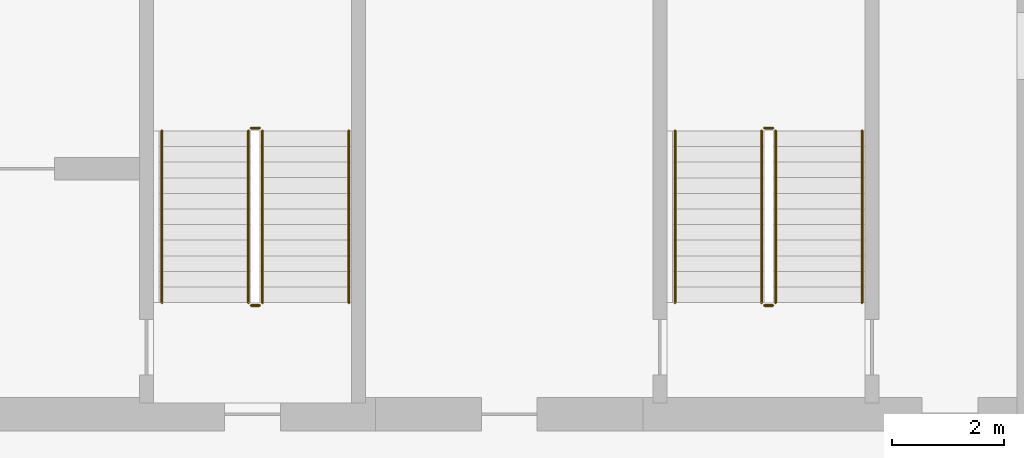
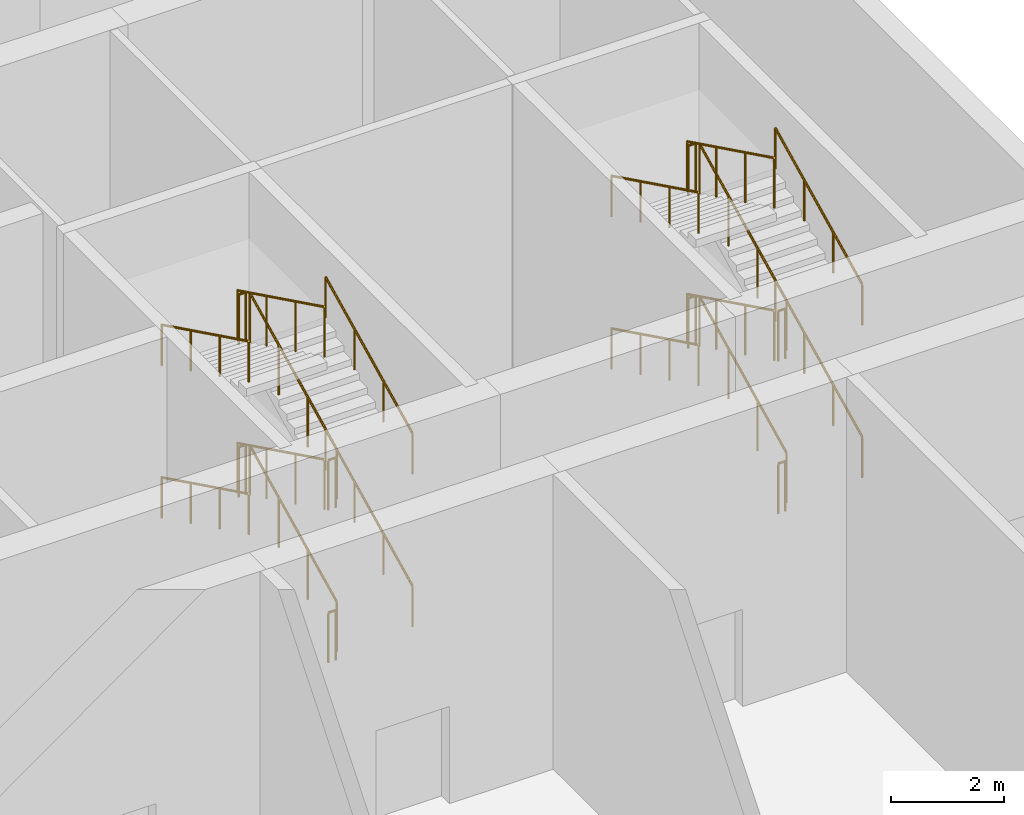
# One storey, part 13 of 13: 24 railings.
"""IFC4 building model written with IfcOpenShell, lengths in metres."""

from ifc_helpers import new_model, si_unit, direction, frame, origin, origin_2d, place, context, subcontext, project, spatial, circle, extrude, material, type_object, element, save


model = new_model("IFC4")

# Units and contexts
model_context = context("Model", 3, precision=1e-05, world=origin(), true_north=direction((0.0, 1.0)))
body_context = subcontext(model_context, "Body", "Model", "MODEL_VIEW")
ifc_project = project(units=[si_unit("LENGTHUNIT", "METRE"), si_unit("AREAUNIT", "SQUARE_METRE"), si_unit("VOLUMEUNIT", "CUBIC_METRE"), si_unit("PLANEANGLEUNIT", "RADIAN"), si_unit("MASSUNIT", "GRAM", prefix="KILO")], contexts=[model_context])

# Site, building, storey
site_placement = place(None, origin())
site = spatial("IfcSite", under=ifc_project, at=site_placement, CompositionType="ELEMENT")
building_placement = place(site_placement, origin())
building = spatial("IfcBuilding", under=site, at=building_placement, Name="Poui Terraces", CompositionType="ELEMENT")
storey_placement = place(building_placement, frame((0.0, 0.0, 214.800048828125)))
storey = spatial("IfcBuildingStorey", under=building, at=storey_placement, Name="L60", CompositionType="ELEMENT", Elevation=214.800048828125)

# Railings
ifc_material_1 = material(Name="Galvanised steel balustrade", Category="steel")
railing_type_1 = type_object("IfcRailingType", Name="STAIR GUARD 1100", PredefinedType="GUARDRAIL", material=ifc_material_1)
railing_1_placement = place(storey_placement, frame((70.27490234375, 16.60009765625, 0.137451171875)))
element("IfcRailing", 1, at=railing_1_placement, inside=storey, type_object=railing_type_1, Name="L60 ST-CE stair guard 1", PredefinedType="GUARDRAIL", context=body_context, shape_type="SweptSolid", body=[
    extrude(circle(Radius=0.02392578125, at=origin_2d()), frame((0.0, 0.0, 1.076171875), z_axis=(0.0, 0.897606190399, 0.440798283751), x_axis=(-1.0, 0.0, 0.0)), (0.0, 0.0, 1.0), 3.43115234375),
    extrude(circle(Radius=0.02099609375, at=origin_2d()), origin(), (0.0, 0.0, 1.0), 1.052001953125),
    extrude(circle(Radius=0.02099609375, at=origin_2d()), frame((0.0, 1.026611328125, 0.504150390625)), (0.0, 0.0, 1.0), 1.052001953125),
    extrude(circle(Radius=0.02099609375, at=origin_2d()), frame((0.0, 2.05322265625, 1.00830078125)), (0.0, 0.0, 1.0), 1.052001953125),
    extrude(circle(Radius=0.02099609375, at=origin_2d()), frame((0.0, 3.079833984375, 1.512451171875)), (0.0, 0.0, 1.0), 1.052001953125),
])
railing_2_placement = place(storey_placement, frame((70.22509765625, 19.72998046875, 1.64990234375)))
element("IfcRailing", 2, at=railing_2_placement, inside=storey, type_object=railing_type_1, Name="L60 ST-CE stair guard 2", PredefinedType="GUARDRAIL", context=body_context, shape_type="SweptSolid", body=[
    extrude(circle(Radius=0.02392578125, at=origin_2d()), frame((0.0, 0.0, 1.076171875), z_axis=(-1.0, 0.0, 0.0), x_axis=(0.0, -1.0, 0.0)), (0.0, 0.0, 1.0), 0.150146484375),
    extrude(circle(Radius=0.02099609375, at=origin_2d()), origin(), (0.0, 0.0, 1.0), 1.052001953125),
    extrude(circle(Radius=0.02099609375, at=origin_2d()), frame((-0.150146484375, 0.0, 0.0)), (0.0, 0.0, 1.0), 1.052001953125),
])
railing_3_placement = place(storey_placement, frame((70.02490234375, 19.679931640625, 1.787353515625)))
element("IfcRailing", 3, at=railing_3_placement, inside=storey, type_object=railing_type_1, Name="L60 ST-CE stair guard 3", PredefinedType="GUARDRAIL", context=body_context, shape_type="SweptSolid", body=[
    extrude(circle(Radius=0.02392578125, at=origin_2d()), frame((0.0, 0.0, 1.076171875), z_axis=(0.0, -0.897578036475, 0.440855609512), x_axis=(1.0, 0.0, 0.0)), (0.0, 0.0, 1.0), 3.43115234375),
    extrude(circle(Radius=0.02099609375, at=origin_2d()), origin(), (0.0, 0.0, 1.0), 1.052001953125),
    extrude(circle(Radius=0.02099609375, at=origin_2d()), frame((0.0, -1.026611328125, 0.504150390625)), (0.0, 0.0, 1.0), 1.052001953125),
    extrude(circle(Radius=0.02099609375, at=origin_2d()), frame((0.0, -2.05322265625, 1.008544921875)), (0.0, 0.0, 1.0), 1.052001953125),
    extrude(circle(Radius=0.02099609375, at=origin_2d()), frame((0.0, -3.079833984375, 1.5126953125)), (0.0, 0.0, 1.0), 1.052001953125),
])
railing_4_placement = place(storey_placement, frame((70.22509765625, 16.550048828125, 3.300048828125)))
element("IfcRailing", 4, at=railing_4_placement, inside=storey, type_object=railing_type_1, Name="L60 ST-CE stair guard 4", PredefinedType="GUARDRAIL", context=body_context, shape_type="SweptSolid", body=[
    extrude(circle(Radius=0.02392578125, at=origin_2d()), frame((0.0, 0.0, 1.076171875), z_axis=(-1.0, 0.0, 0.0), x_axis=(0.0, -1.0, 0.0)), (0.0, 0.0, 1.0), 0.150146484375),
    extrude(circle(Radius=0.02099609375, at=origin_2d()), origin(), (0.0, 0.0, 1.0), 1.052001953125),
    extrude(circle(Radius=0.02099609375, at=origin_2d()), frame((-0.150146484375, 0.0, 0.0)), (0.0, 0.0, 1.0), 1.052001953125),
])
railing_5_placement = place(storey_placement, frame((70.27490234375, 16.60009765625, 3.4375)))
element("IfcRailing", 5, at=railing_5_placement, inside=storey, type_object=railing_type_1, Name="L60 ST-CE stair guard 5", PredefinedType="GUARDRAIL", context=body_context, shape_type="SweptSolid", body=[
    extrude(circle(Radius=0.02392578125, at=origin_2d()), frame((0.0, 0.0, 1.076171875), z_axis=(0.0, 0.897606190399, 0.440798283751), x_axis=(-1.0, 0.0, 0.0)), (0.0, 0.0, 1.0), 3.43115234375),
    extrude(circle(Radius=0.02099609375, at=origin_2d()), origin(), (0.0, 0.0, 1.0), 1.052001953125),
    extrude(circle(Radius=0.02099609375, at=origin_2d()), frame((0.0, 1.026611328125, 0.504150390625)), (0.0, 0.0, 1.0), 1.052001953125),
    extrude(circle(Radius=0.02099609375, at=origin_2d()), frame((0.0, 2.05322265625, 1.00830078125)), (0.0, 0.0, 1.0), 1.052001953125),
    extrude(circle(Radius=0.02099609375, at=origin_2d()), frame((0.0, 3.079833984375, 1.512451171875)), (0.0, 0.0, 1.0), 1.052001953125),
])
railing_6_placement = place(storey_placement, frame((70.22509765625, 19.72998046875, 4.949951171875)))
element("IfcRailing", 6, at=railing_6_placement, inside=storey, type_object=railing_type_1, Name="L60 ST-CE stair guard 6", PredefinedType="GUARDRAIL", context=body_context, shape_type="SweptSolid", body=[
    extrude(circle(Radius=0.02392578125, at=origin_2d()), frame((0.0, 0.0, 1.076171875), z_axis=(-1.0, 0.0, 0.0), x_axis=(0.0, -1.0, 0.0)), (0.0, 0.0, 1.0), 0.150146484375),
    extrude(circle(Radius=0.02099609375, at=origin_2d()), origin(), (0.0, 0.0, 1.0), 1.052001953125),
    extrude(circle(Radius=0.02099609375, at=origin_2d()), frame((-0.150146484375, 0.0, 0.0)), (0.0, 0.0, 1.0), 1.052001953125),
])
railing_7_placement = place(storey_placement, frame((70.02490234375, 19.679931640625, 5.08740234375)))
element("IfcRailing", 7, at=railing_7_placement, inside=storey, type_object=railing_type_1, Name="L60 ST-CE stair guard 7", PredefinedType="GUARDRAIL", context=body_context, shape_type="SweptSolid", body=[
    extrude(circle(Radius=0.02392578125, at=origin_2d()), frame((0.0, 0.0, 1.076171875), z_axis=(0.0, -0.897606190399, 0.440798283751), x_axis=(1.0, 0.0, 0.0)), (0.0, 0.0, 1.0), 3.43115234375),
    extrude(circle(Radius=0.02099609375, at=origin_2d()), origin(), (0.0, 0.0, 1.0), 1.052001953125),
    extrude(circle(Radius=0.02099609375, at=origin_2d()), frame((0.0, -1.026611328125, 0.504150390625)), (0.0, 0.0, 1.0), 1.052001953125),
    extrude(circle(Radius=0.02099609375, at=origin_2d()), frame((0.0, -2.05322265625, 1.00830078125)), (0.0, 0.0, 1.0), 1.052001953125),
    extrude(circle(Radius=0.02099609375, at=origin_2d()), frame((0.0, -3.079833984375, 1.512451171875)), (0.0, 0.0, 1.0), 1.052001953125),
])
railing_8_placement = place(storey_placement, frame((70.22509765625, 16.550048828125, 0.0)))
element("IfcRailing", 8, at=railing_8_placement, inside=storey, type_object=railing_type_1, Name="L60 ST-CE stair guard 8", PredefinedType="GUARDRAIL", context=body_context, shape_type="SweptSolid", body=[
    extrude(circle(Radius=0.02392578125, at=origin_2d()), frame((0.0, 0.0, 1.076171875), z_axis=(-1.0, 0.0, 0.0), x_axis=(0.0, -1.0, 0.0)), (0.0, 0.0, 1.0), 0.150146484375),
    extrude(circle(Radius=0.02099609375, at=origin_2d()), origin(), (0.0, 0.0, 1.0), 1.052001953125),
    extrude(circle(Radius=0.02099609375, at=origin_2d()), frame((-0.150146484375, 0.0, 0.0)), (0.0, 0.0, 1.0), 1.052001953125),
])
railing_9_placement = place(storey_placement, frame((79.47509765625, 16.60009765625, 0.137451171875)))
element("IfcRailing", 9, at=railing_9_placement, inside=storey, type_object=railing_type_1, Name="L60 ST-E stair guard 1", PredefinedType="GUARDRAIL", context=body_context, shape_type="SweptSolid", body=[
    extrude(circle(Radius=0.02392578125, at=origin_2d()), frame((0.0, 0.0, 1.076171875), z_axis=(0.0, 0.897606190399, 0.440798283751), x_axis=(-1.0, 0.0, 0.0)), (0.0, 0.0, 1.0), 3.43115234375),
    extrude(circle(Radius=0.02099609375, at=origin_2d()), origin(), (0.0, 0.0, 1.0), 1.052001953125),
    extrude(circle(Radius=0.02099609375, at=origin_2d()), frame((0.0, 1.026611328125, 0.504150390625)), (0.0, 0.0, 1.0), 1.052001953125),
    extrude(circle(Radius=0.02099609375, at=origin_2d()), frame((0.0, 2.05322265625, 1.00830078125)), (0.0, 0.0, 1.0), 1.052001953125),
    extrude(circle(Radius=0.02099609375, at=origin_2d()), frame((0.0, 3.079833984375, 1.512451171875)), (0.0, 0.0, 1.0), 1.052001953125),
])
railing_10_placement = place(storey_placement, frame((79.425048828125, 19.72998046875, 1.64990234375)))
element("IfcRailing", 10, at=railing_10_placement, inside=storey, type_object=railing_type_1, Name="L60 ST-E stair guard 2", PredefinedType="GUARDRAIL", context=body_context, shape_type="SweptSolid", body=[
    extrude(circle(Radius=0.02392578125, at=origin_2d()), frame((0.0, 0.0, 1.076171875), z_axis=(-1.0, 0.0, 0.0), x_axis=(0.0, -1.0, 0.0)), (0.0, 0.0, 1.0), 0.150146484375),
    extrude(circle(Radius=0.02099609375, at=origin_2d()), origin(), (0.0, 0.0, 1.0), 1.052001953125),
    extrude(circle(Radius=0.02099609375, at=origin_2d()), frame((-0.150146484375, 0.0, 0.0)), (0.0, 0.0, 1.0), 1.052001953125),
])
railing_11_placement = place(storey_placement, frame((79.22509765625, 19.679931640625, 1.787353515625)))
element("IfcRailing", 11, at=railing_11_placement, inside=storey, type_object=railing_type_1, Name="L60 ST-E stair guard 3", PredefinedType="GUARDRAIL", context=body_context, shape_type="SweptSolid", body=[
    extrude(circle(Radius=0.02392578125, at=origin_2d()), frame((0.0, 0.0, 1.076171875), z_axis=(0.0, -0.897578036475, 0.440855609512), x_axis=(1.0, 0.0, 0.0)), (0.0, 0.0, 1.0), 3.43115234375),
    extrude(circle(Radius=0.02099609375, at=origin_2d()), origin(), (0.0, 0.0, 1.0), 1.052001953125),
    extrude(circle(Radius=0.02099609375, at=origin_2d()), frame((0.0, -1.026611328125, 0.504150390625)), (0.0, 0.0, 1.0), 1.052001953125),
    extrude(circle(Radius=0.02099609375, at=origin_2d()), frame((0.0, -2.05322265625, 1.008544921875)), (0.0, 0.0, 1.0), 1.052001953125),
    extrude(circle(Radius=0.02099609375, at=origin_2d()), frame((0.0, -3.079833984375, 1.5126953125)), (0.0, 0.0, 1.0), 1.052001953125),
])
railing_12_placement = place(storey_placement, frame((79.425048828125, 16.550048828125, 3.300048828125)))
element("IfcRailing", 12, at=railing_12_placement, inside=storey, type_object=railing_type_1, Name="L60 ST-E stair guard 4", PredefinedType="GUARDRAIL", context=body_context, shape_type="SweptSolid", body=[
    extrude(circle(Radius=0.02392578125, at=origin_2d()), frame((0.0, 0.0, 1.076171875), z_axis=(-1.0, 0.0, 0.0), x_axis=(0.0, -1.0, 0.0)), (0.0, 0.0, 1.0), 0.150146484375),
    extrude(circle(Radius=0.02099609375, at=origin_2d()), origin(), (0.0, 0.0, 1.0), 1.052001953125),
    extrude(circle(Radius=0.02099609375, at=origin_2d()), frame((-0.150146484375, 0.0, 0.0)), (0.0, 0.0, 1.0), 1.052001953125),
])
railing_13_placement = place(storey_placement, frame((79.47509765625, 16.60009765625, 3.4375)))
element("IfcRailing", 13, at=railing_13_placement, inside=storey, type_object=railing_type_1, Name="L60 ST-E stair guard 5", PredefinedType="GUARDRAIL", context=body_context, shape_type="SweptSolid", body=[
    extrude(circle(Radius=0.02392578125, at=origin_2d()), frame((0.0, 0.0, 1.076171875), z_axis=(0.0, 0.897606190399, 0.440798283751), x_axis=(-1.0, 0.0, 0.0)), (0.0, 0.0, 1.0), 3.43115234375),
    extrude(circle(Radius=0.02099609375, at=origin_2d()), origin(), (0.0, 0.0, 1.0), 1.052001953125),
    extrude(circle(Radius=0.02099609375, at=origin_2d()), frame((0.0, 1.026611328125, 0.504150390625)), (0.0, 0.0, 1.0), 1.052001953125),
    extrude(circle(Radius=0.02099609375, at=origin_2d()), frame((0.0, 2.05322265625, 1.00830078125)), (0.0, 0.0, 1.0), 1.052001953125),
    extrude(circle(Radius=0.02099609375, at=origin_2d()), frame((0.0, 3.079833984375, 1.512451171875)), (0.0, 0.0, 1.0), 1.052001953125),
])
railing_14_placement = place(storey_placement, frame((79.425048828125, 19.72998046875, 4.949951171875)))
element("IfcRailing", 14, at=railing_14_placement, inside=storey, type_object=railing_type_1, Name="L60 ST-E stair guard 6", PredefinedType="GUARDRAIL", context=body_context, shape_type="SweptSolid", body=[
    extrude(circle(Radius=0.02392578125, at=origin_2d()), frame((0.0, 0.0, 1.076171875), z_axis=(-1.0, 0.0, 0.0), x_axis=(0.0, -1.0, 0.0)), (0.0, 0.0, 1.0), 0.150146484375),
    extrude(circle(Radius=0.02099609375, at=origin_2d()), origin(), (0.0, 0.0, 1.0), 1.052001953125),
    extrude(circle(Radius=0.02099609375, at=origin_2d()), frame((-0.150146484375, 0.0, 0.0)), (0.0, 0.0, 1.0), 1.052001953125),
])
railing_15_placement = place(storey_placement, frame((79.22509765625, 19.679931640625, 5.08740234375)))
element("IfcRailing", 15, at=railing_15_placement, inside=storey, type_object=railing_type_1, Name="L60 ST-E stair guard 7", PredefinedType="GUARDRAIL", context=body_context, shape_type="SweptSolid", body=[
    extrude(circle(Radius=0.02392578125, at=origin_2d()), frame((0.0, 0.0, 1.076171875), z_axis=(0.0, -0.897606190399, 0.440798283751), x_axis=(1.0, 0.0, 0.0)), (0.0, 0.0, 1.0), 3.43115234375),
    extrude(circle(Radius=0.02099609375, at=origin_2d()), origin(), (0.0, 0.0, 1.0), 1.052001953125),
    extrude(circle(Radius=0.02099609375, at=origin_2d()), frame((0.0, -1.026611328125, 0.504150390625)), (0.0, 0.0, 1.0), 1.052001953125),
    extrude(circle(Radius=0.02099609375, at=origin_2d()), frame((0.0, -2.05322265625, 1.00830078125)), (0.0, 0.0, 1.0), 1.052001953125),
    extrude(circle(Radius=0.02099609375, at=origin_2d()), frame((0.0, -3.079833984375, 1.512451171875)), (0.0, 0.0, 1.0), 1.052001953125),
])
railing_16_placement = place(storey_placement, frame((79.425048828125, 16.550048828125, 0.0)))
element("IfcRailing", 16, at=railing_16_placement, inside=storey, type_object=railing_type_1, Name="L60 ST-E stair guard 8", PredefinedType="GUARDRAIL", context=body_context, shape_type="SweptSolid", body=[
    extrude(circle(Radius=0.02392578125, at=origin_2d()), frame((0.0, 0.0, 1.076171875), z_axis=(-1.0, 0.0, 0.0), x_axis=(0.0, -1.0, 0.0)), (0.0, 0.0, 1.0), 0.150146484375),
    extrude(circle(Radius=0.02099609375, at=origin_2d()), origin(), (0.0, 0.0, 1.0), 1.052001953125),
    extrude(circle(Radius=0.02099609375, at=origin_2d()), frame((-0.150146484375, 0.0, 0.0)), (0.0, 0.0, 1.0), 1.052001953125),
])
ifc_material_2 = material(Name="Stainless steel handrail", Category="steel")
railing_type_2 = type_object("IfcRailingType", Name="STAIR HANDRAIL 900", PredefinedType="HANDRAIL", material=ifc_material_2)
railing_17_placement = place(storey_placement, frame((71.824951171875, 16.60009765625, 0.137451171875)))
element("IfcRailing", 17, at=railing_17_placement, inside=storey, type_object=railing_type_2, Name="L60 ST-CE stair handrail 1", PredefinedType="HANDRAIL", context=body_context, shape_type="SweptSolid", body=[
    extrude(circle(Radius=0.02392578125, at=origin_2d()), frame((0.0, 0.0, 0.8759765625), z_axis=(0.0, 0.897606190399, 0.440798283751), x_axis=(-1.0, 0.0, 0.0)), (0.0, 0.0, 1.0), 3.43115234375),
    extrude(circle(Radius=0.02099609375, at=origin_2d()), origin(), (0.0, 0.0, 1.0), 0.851806640625),
    extrude(circle(Radius=0.02099609375, at=origin_2d()), frame((0.0, 1.026611328125, 0.504150390625)), (0.0, 0.0, 1.0), 0.851806640625),
    extrude(circle(Radius=0.02099609375, at=origin_2d()), frame((0.0, 2.05322265625, 1.00830078125)), (0.0, 0.0, 1.0), 0.851806640625),
    extrude(circle(Radius=0.02099609375, at=origin_2d()), frame((0.0, 3.079833984375, 1.512451171875)), (0.0, 0.0, 1.0), 0.851806640625),
])
railing_18_placement = place(storey_placement, frame((68.47509765625, 19.679931640625, 1.787353515625)))
element("IfcRailing", 18, at=railing_18_placement, inside=storey, type_object=railing_type_2, Name="L60 ST-CE stair handrail 2", PredefinedType="HANDRAIL", context=body_context, shape_type="SweptSolid", body=[
    extrude(circle(Radius=0.02392578125, at=origin_2d()), frame((0.0, 0.0, 0.8759765625), z_axis=(0.0, -0.897578036475, 0.440855609512), x_axis=(1.0, 0.0, 0.0)), (0.0, 0.0, 1.0), 3.43115234375),
    extrude(circle(Radius=0.02099609375, at=origin_2d()), origin(), (0.0, 0.0, 1.0), 0.851806640625),
    extrude(circle(Radius=0.02099609375, at=origin_2d()), frame((0.0, -1.026611328125, 0.504150390625)), (0.0, 0.0, 1.0), 0.851806640625),
    extrude(circle(Radius=0.02099609375, at=origin_2d()), frame((0.0, -2.05322265625, 1.008544921875)), (0.0, 0.0, 1.0), 0.851806640625),
    extrude(circle(Radius=0.02099609375, at=origin_2d()), frame((0.0, -3.079833984375, 1.5126953125)), (0.0, 0.0, 1.0), 0.851806640625),
])
railing_19_placement = place(storey_placement, frame((71.824951171875, 16.60009765625, 3.4375)))
element("IfcRailing", 19, at=railing_19_placement, inside=storey, type_object=railing_type_2, Name="L60 ST-CE stair handrail 3", PredefinedType="HANDRAIL", context=body_context, shape_type="SweptSolid", body=[
    extrude(circle(Radius=0.02392578125, at=origin_2d()), frame((0.0, 0.0, 0.8759765625), z_axis=(0.0, 0.897606190399, 0.440798283751), x_axis=(-1.0, 0.0, 0.0)), (0.0, 0.0, 1.0), 3.43115234375),
    extrude(circle(Radius=0.02099609375, at=origin_2d()), origin(), (0.0, 0.0, 1.0), 0.851806640625),
    extrude(circle(Radius=0.02099609375, at=origin_2d()), frame((0.0, 1.026611328125, 0.504150390625)), (0.0, 0.0, 1.0), 0.851806640625),
    extrude(circle(Radius=0.02099609375, at=origin_2d()), frame((0.0, 2.05322265625, 1.00830078125)), (0.0, 0.0, 1.0), 0.851806640625),
    extrude(circle(Radius=0.02099609375, at=origin_2d()), frame((0.0, 3.079833984375, 1.512451171875)), (0.0, 0.0, 1.0), 0.851806640625),
])
railing_20_placement = place(storey_placement, frame((68.47509765625, 19.679931640625, 5.08740234375)))
element("IfcRailing", 20, at=railing_20_placement, inside=storey, type_object=railing_type_2, Name="L60 ST-CE stair handrail 4", PredefinedType="HANDRAIL", context=body_context, shape_type="SweptSolid", body=[
    extrude(circle(Radius=0.02392578125, at=origin_2d()), frame((0.0, 0.0, 0.8759765625), z_axis=(0.0, -0.897606190399, 0.440798283751), x_axis=(1.0, 0.0, 0.0)), (0.0, 0.0, 1.0), 3.43115234375),
    extrude(circle(Radius=0.02099609375, at=origin_2d()), origin(), (0.0, 0.0, 1.0), 0.851806640625),
    extrude(circle(Radius=0.02099609375, at=origin_2d()), frame((0.0, -1.026611328125, 0.504150390625)), (0.0, 0.0, 1.0), 0.851806640625),
    extrude(circle(Radius=0.02099609375, at=origin_2d()), frame((0.0, -2.05322265625, 1.00830078125)), (0.0, 0.0, 1.0), 0.851806640625),
    extrude(circle(Radius=0.02099609375, at=origin_2d()), frame((0.0, -3.079833984375, 1.512451171875)), (0.0, 0.0, 1.0), 0.851806640625),
])
railing_21_placement = place(storey_placement, frame((81.02490234375, 16.60009765625, 0.137451171875)))
element("IfcRailing", 21, at=railing_21_placement, inside=storey, type_object=railing_type_2, Name="L60 ST-E stair handrail 1", PredefinedType="HANDRAIL", context=body_context, shape_type="SweptSolid", body=[
    extrude(circle(Radius=0.02392578125, at=origin_2d()), frame((0.0, 0.0, 0.8759765625), z_axis=(0.0, 0.897606190399, 0.440798283751), x_axis=(-1.0, 0.0, 0.0)), (0.0, 0.0, 1.0), 3.43115234375),
    extrude(circle(Radius=0.02099609375, at=origin_2d()), origin(), (0.0, 0.0, 1.0), 0.851806640625),
    extrude(circle(Radius=0.02099609375, at=origin_2d()), frame((0.0, 1.026611328125, 0.504150390625)), (0.0, 0.0, 1.0), 0.851806640625),
    extrude(circle(Radius=0.02099609375, at=origin_2d()), frame((0.0, 2.05322265625, 1.00830078125)), (0.0, 0.0, 1.0), 0.851806640625),
    extrude(circle(Radius=0.02099609375, at=origin_2d()), frame((0.0, 3.079833984375, 1.512451171875)), (0.0, 0.0, 1.0), 0.851806640625),
])
railing_22_placement = place(storey_placement, frame((77.675048828125, 19.679931640625, 1.787353515625)))
element("IfcRailing", 22, at=railing_22_placement, inside=storey, type_object=railing_type_2, Name="L60 ST-E stair handrail 2", PredefinedType="HANDRAIL", context=body_context, shape_type="SweptSolid", body=[
    extrude(circle(Radius=0.02392578125, at=origin_2d()), frame((0.0, 0.0, 0.8759765625), z_axis=(0.0, -0.897578036475, 0.440855609512), x_axis=(1.0, 0.0, 0.0)), (0.0, 0.0, 1.0), 3.43115234375),
    extrude(circle(Radius=0.02099609375, at=origin_2d()), origin(), (0.0, 0.0, 1.0), 0.851806640625),
    extrude(circle(Radius=0.02099609375, at=origin_2d()), frame((0.0, -1.026611328125, 0.504150390625)), (0.0, 0.0, 1.0), 0.851806640625),
    extrude(circle(Radius=0.02099609375, at=origin_2d()), frame((0.0, -2.05322265625, 1.008544921875)), (0.0, 0.0, 1.0), 0.851806640625),
    extrude(circle(Radius=0.02099609375, at=origin_2d()), frame((0.0, -3.079833984375, 1.5126953125)), (0.0, 0.0, 1.0), 0.851806640625),
])
railing_23_placement = place(storey_placement, frame((81.02490234375, 16.60009765625, 3.4375)))
element("IfcRailing", 23, at=railing_23_placement, inside=storey, type_object=railing_type_2, Name="L60 ST-E stair handrail 3", PredefinedType="HANDRAIL", context=body_context, shape_type="SweptSolid", body=[
    extrude(circle(Radius=0.02392578125, at=origin_2d()), frame((0.0, 0.0, 0.8759765625), z_axis=(0.0, 0.897606190399, 0.440798283751), x_axis=(-1.0, 0.0, 0.0)), (0.0, 0.0, 1.0), 3.43115234375),
    extrude(circle(Radius=0.02099609375, at=origin_2d()), origin(), (0.0, 0.0, 1.0), 0.851806640625),
    extrude(circle(Radius=0.02099609375, at=origin_2d()), frame((0.0, 1.026611328125, 0.504150390625)), (0.0, 0.0, 1.0), 0.851806640625),
    extrude(circle(Radius=0.02099609375, at=origin_2d()), frame((0.0, 2.05322265625, 1.00830078125)), (0.0, 0.0, 1.0), 0.851806640625),
    extrude(circle(Radius=0.02099609375, at=origin_2d()), frame((0.0, 3.079833984375, 1.512451171875)), (0.0, 0.0, 1.0), 0.851806640625),
])
railing_24_placement = place(storey_placement, frame((77.675048828125, 19.679931640625, 5.08740234375)))
element("IfcRailing", 24, at=railing_24_placement, inside=storey, type_object=railing_type_2, Name="L60 ST-E stair handrail 4", PredefinedType="HANDRAIL", context=body_context, shape_type="SweptSolid", body=[
    extrude(circle(Radius=0.02392578125, at=origin_2d()), frame((0.0, 0.0, 0.8759765625), z_axis=(0.0, -0.897606190399, 0.440798283751), x_axis=(1.0, 0.0, 0.0)), (0.0, 0.0, 1.0), 3.43115234375),
    extrude(circle(Radius=0.02099609375, at=origin_2d()), origin(), (0.0, 0.0, 1.0), 0.851806640625),
    extrude(circle(Radius=0.02099609375, at=origin_2d()), frame((0.0, -1.026611328125, 0.504150390625)), (0.0, 0.0, 1.0), 0.851806640625),
    extrude(circle(Radius=0.02099609375, at=origin_2d()), frame((0.0, -2.05322265625, 1.00830078125)), (0.0, 0.0, 1.0), 0.851806640625),
    extrude(circle(Radius=0.02099609375, at=origin_2d()), frame((0.0, -3.079833984375, 1.512451171875)), (0.0, 0.0, 1.0), 0.851806640625),
])

save(model, "model.ifc")
